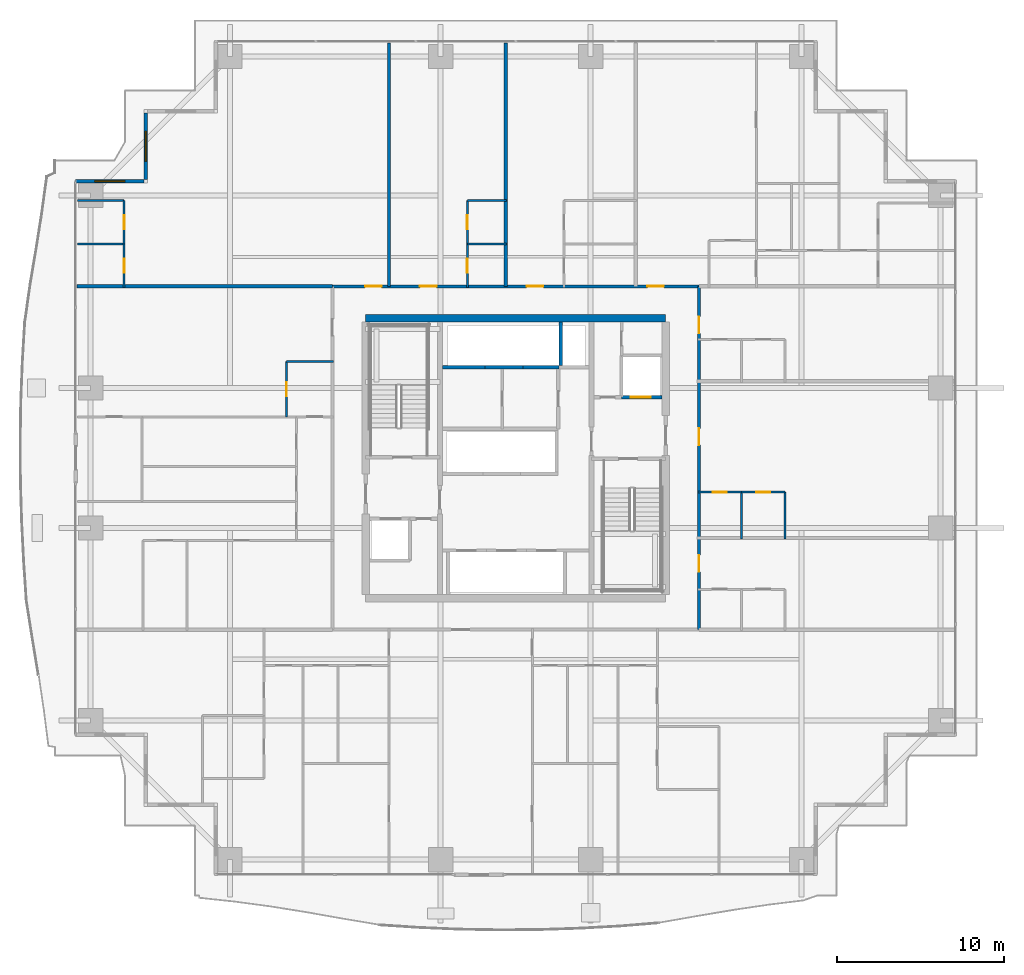
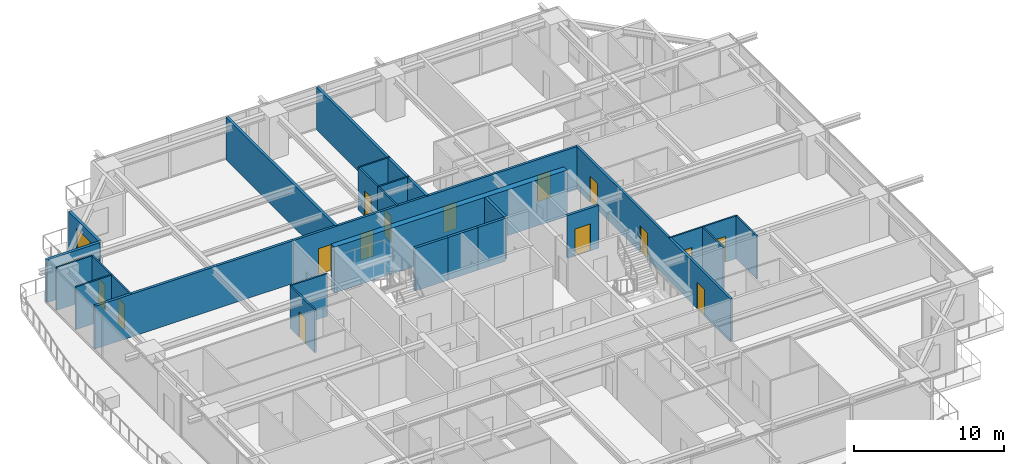
# One storey, part 30 of 40: 27 walls, 15 doors, 2 windows, 17 openings.
"""IFC4 building model written with IfcOpenShell, lengths in metres."""

import ifcopenshell
import ifcopenshell.guid

model = None  # the IFC model being written
_history = None  # IfcOwnerHistory: only IFC2X3 demands one
_inside = {}  # id of a spatial element -> (the spatial element, [elements in it])
_under = {}  # id of a project, library or spatial element -> (it, [spatial elements below it])
_declared = {}  # id of a project -> (the project, [libraries it declares])
_typed = {}  # id of a type object -> (the type object, [elements of that type])
_made_of = {}  # id of a material, layer set ... -> (it, [elements and type objects made of it])


def new_model(schema):
    """Start an empty IFC model of exactly this schema.

    Asked for "IFC4X3", IfcOpenShell would pick the latest addendum, in which some entities
    have other attributes; the version numbers below select the first issue.
    IFC2X3 requires an IfcOwnerHistory on every rooted entity: one is made here for all.
    """
    global model, _history
    if schema == "IFC4X3":
        model = ifcopenshell.file(schema_version=(4, 3, 0, 0))
    else:
        model = ifcopenshell.file(schema=schema)
    _inside.clear()
    _under.clear()
    _declared.clear()
    _typed.clear()
    _made_of.clear()
    _history = None
    if model.schema == "IFC2X3":
        org = make("IfcOrganization", Name="unknown")
        user = make(
            "IfcPersonAndOrganization",
            ThePerson=make("IfcPerson", FamilyName="unknown"),
            TheOrganization=org,
        )
        app = make(
            "IfcApplication",
            ApplicationDeveloper=org,
            Version="unknown",
            ApplicationFullName="unknown",
            ApplicationIdentifier="unknown",
        )
        _history = make(
            "IfcOwnerHistory",
            OwningUser=user,
            OwningApplication=app,
            ChangeAction="ADDED",
            CreationDate=0,
        )
    return model


def make(cls, **values):
    """One entity of the class cls with the attributes given. An attribute that is None is left unset."""
    return model.create_entity(
        cls, **{name: value for name, value in values.items() if value is not None}
    )


def rooted(cls, **values):
    """An entity with a GlobalId (a new one), such as an element, a storey or a relation."""
    return make(cls, GlobalId=ifcopenshell.guid.new(), OwnerHistory=_history, **values)


def si_unit(unit_type, name, prefix=None):
    """IfcSIUnit, for example si_unit("LENGTHUNIT", "METRE", prefix="MILLI")."""
    return make("IfcSIUnit", UnitType=unit_type, Prefix=prefix, Name=name)


def assignment(units):
    """IfcUnitAssignment: the units of a project."""
    return None if units is None else make("IfcUnitAssignment", Units=units)


def point(xyz):
    """IfcCartesianPoint."""
    return None if xyz is None else make("IfcCartesianPoint", Coordinates=xyz)


def direction(xyz):
    """IfcDirection."""
    return None if xyz is None else make("IfcDirection", DirectionRatios=xyz)


def frame(location, z_axis=None, x_axis=None):
    """IfcAxis2Placement3D, a coordinate frame: its origin and axes. An axis left out is left unset."""
    return make(
        "IfcAxis2Placement3D",
        Location=point(location),
        Axis=direction(z_axis),
        RefDirection=direction(x_axis),
    )


def frame_2d(location, x_axis=None):
    """IfcAxis2Placement2D, a coordinate frame in the plane: its origin and x axis."""
    return make(
        "IfcAxis2Placement2D", Location=point(location), RefDirection=direction(x_axis)
    )


def origin():
    """The frame at (0, 0, 0) with its axes left unset."""
    return frame((0.0, 0.0, 0.0))


def place(relative_to, where):
    """IfcLocalPlacement: puts the frame where relative to a parent placement (None: the world)."""
    return make(
        "IfcLocalPlacement", PlacementRelTo=relative_to, RelativePlacement=where
    )


def context(
    kind, dimensions, precision=None, world=None, true_north=None, identifier=None
):
    """IfcGeometricRepresentationContext, for example the 3D "Model" context."""
    return make(
        "IfcGeometricRepresentationContext",
        ContextIdentifier=identifier,
        ContextType=kind,
        CoordinateSpaceDimension=dimensions,
        Precision=precision,
        WorldCoordinateSystem=world,
        TrueNorth=true_north,
    )


def subcontext(parent, identifier, kind, view, scale=None):
    """IfcGeometricRepresentationSubContext, for example "Body" below "Model"."""
    return make(
        "IfcGeometricRepresentationSubContext",
        ContextIdentifier=identifier,
        ContextType=kind,
        ParentContext=parent,
        TargetScale=scale,
        TargetView=view,
    )


def project(units=None, contexts=None):
    """IfcProject with its units and contexts."""
    return rooted(
        "IfcProject",
        Name="project",
        RepresentationContexts=contexts,
        UnitsInContext=assignment(units),
    )


def spatial(cls, under=None, at=None, **own):
    """A site, building, storey or space (cls), placed at a placement, below another one or the project."""
    s = rooted(cls, ObjectPlacement=at, **own)
    if under is not None:
        _under.setdefault(under.id(), (under, []))[1].append(s)
    return s


def profile(cls, at=None, kind="AREA", **sizes):
    """A parametric profile (cls). Its sizes go by their IFC names, for example OverallWidth=200.0."""
    return make(cls, ProfileType=kind, Position=at, **sizes)


def rectangle(**sizes):
    """IfcRectangleProfileDef."""
    return profile("IfcRectangleProfileDef", **sizes)


def extrude(swept, where, along, depth):
    """IfcExtrudedAreaSolid: the profile swept, set in the frame where, extruded along a direction by depth."""
    return make(
        "IfcExtrudedAreaSolid",
        SweptArea=swept,
        Position=where,
        ExtrudedDirection=direction(along),
        Depth=depth,
    )


def shape(context_of_items, identifier, shape_type, items):
    """IfcShapeRepresentation: the items that make up one representation, for example the "Body"."""
    return make(
        "IfcShapeRepresentation",
        ContextOfItems=context_of_items,
        RepresentationIdentifier=identifier,
        RepresentationType=shape_type,
        Items=items,
    )


def source(mapping_origin, context_of_items, identifier, shape_type, items):
    """IfcRepresentationMap: a shape defined once, which mapped items show again and again."""
    return make(
        "IfcRepresentationMap",
        MappingOrigin=mapping_origin,
        MappedRepresentation=shape(context_of_items, identifier, shape_type, items),
    )


def transform(
    local_origin,
    x_axis=None,
    y_axis=None,
    z_axis=None,
    scale=None,
    scale2=None,
    scale3=None,
    uniform=True,
):
    """IfcCartesianTransformationOperator3D, or its non-uniform kind. x_axis, y_axis, z_axis: its Axis1, 2, 3."""
    if uniform:
        return make(
            "IfcCartesianTransformationOperator3D",
            Axis1=direction(x_axis),
            Axis2=direction(y_axis),
            LocalOrigin=point(local_origin),
            Scale=scale,
            Axis3=direction(z_axis),
        )
    return make(
        "IfcCartesianTransformationOperator3DnonUniform",
        Axis1=direction(x_axis),
        Axis2=direction(y_axis),
        LocalOrigin=point(local_origin),
        Scale=scale,
        Axis3=direction(z_axis),
        Scale2=scale2,
        Scale3=scale3,
    )


def mapped(mapping_source, mapping_target):
    """IfcMappedItem: shows the shape of a source again, moved by a transform."""
    return make(
        "IfcMappedItem", MappingSource=mapping_source, MappingTarget=mapping_target
    )


def material(Name=None, Category=None):
    """IfcMaterial."""
    return make("IfcMaterial", Name=Name, Category=Category)


def layer(
    of_material, thickness, ventilated=None, Name=None, Category=None, Priority=None
):
    """IfcMaterialLayer: one layer of a wall or slab, of a material (None: an air gap)."""
    return make(
        "IfcMaterialLayer",
        Material=of_material,
        LayerThickness=thickness,
        IsVentilated=ventilated,
        Name=Name,
        Category=Category,
        Priority=Priority,
    )


def layer_set(layers, Name=None):
    """IfcMaterialLayerSet."""
    return make("IfcMaterialLayerSet", MaterialLayers=layers, LayerSetName=Name)


def made_of(thing, what):
    """Note that an element or type object is made of a material, layer set ...; save() writes the relation."""
    if what is not None:
        _made_of.setdefault(what.id(), (what, []))[1].append(thing)
    return thing


def type_object(cls, material=None, **own):
    """A type object (cls), such as IfcWallType, which elements share."""
    return made_of(rooted(cls, **own), material)


def element(
    cls,
    number,
    at=None,
    inside=None,
    cuts=None,
    type_object=None,
    material=None,
    context=None,
    identifier="Body",
    shape_type=None,
    held_by="IfcProductDefinitionShape",
    body=None,
    shapes=None,
    **own,
):
    """One element of the class cls, such as IfcWall. Its Tag is "e" and its number.

    at: its placement. inside: the storey or other place that contains it. cuts: it is an
    opening in that element (IfcRelVoidsElement). A single representation is given by context,
    identifier, shape_type and body (its items); several are given by shapes. held_by: the class
    of the entity that holds the representations. save() writes the other relations.
    """
    e = rooted(cls, Tag="e%d" % number, ObjectPlacement=at, **own)
    if body is not None:
        shapes = [shape(context, identifier, shape_type, body)]
    if shapes is not None:
        e.Representation = make(held_by, Representations=shapes)
    if inside is not None:
        _inside.setdefault(inside.id(), (inside, []))[1].append(e)
    if cuts is not None:
        rooted(
            "IfcRelVoidsElement", RelatingBuildingElement=cuts, RelatedOpeningElement=e
        )
    if type_object is not None:
        _typed.setdefault(type_object.id(), (type_object, []))[1].append(e)
    return made_of(e, material)


def fill(opening, filler):
    """IfcRelFillsElement: the door or window that sits in an opening."""
    return rooted(
        "IfcRelFillsElement",
        RelatingOpeningElement=opening,
        RelatedBuildingElement=filler,
    )


def aggregate(whole, parts):
    """IfcRelAggregates: a whole, such as a stair, and the parts it consists of."""
    return rooted("IfcRelAggregates", RelatingObject=whole, RelatedObjects=parts)


def save(model, path):
    """Write the relations noted so far, then the file.

    IfcRelAggregates (storeys below a building ...), IfcRelContainedInSpatialStructure (elements
    in a storey), IfcRelDefinesByType, IfcRelAssociatesMaterial and IfcRelDeclares: one each for
    every whole, place, type object, material and project.
    """
    for whole, parts in _under.values():
        aggregate(whole, parts)
    for where, things in _inside.values():
        rooted(
            "IfcRelContainedInSpatialStructure",
            RelatedElements=things,
            RelatingStructure=where,
        )
    for kind, things in _typed.values():
        rooted("IfcRelDefinesByType", RelatedObjects=things, RelatingType=kind)
    for what, things in _made_of.values():
        rooted("IfcRelAssociatesMaterial", RelatedObjects=things, RelatingMaterial=what)
    for by, libraries in _declared.values():
        rooted("IfcRelDeclares", RelatingContext=by, RelatedDefinitions=libraries)
    model.write(path)


model = new_model("IFC4")

# Units and contexts
model_context = context("Model", 3, precision=1e-05, world=origin(), true_north=direction((0.0, 1.0)))
body_context = subcontext(model_context, "Body", "Model", "MODEL_VIEW")
ifc_project = project(units=[si_unit("LENGTHUNIT", "METRE"), si_unit("AREAUNIT", "SQUARE_METRE"), si_unit("VOLUMEUNIT", "CUBIC_METRE"), si_unit("PLANEANGLEUNIT", "RADIAN"), si_unit("MASSUNIT", "GRAM", prefix="KILO")], contexts=[model_context])

# Site, building, storey
site_placement = place(None, origin())
site = spatial("IfcSite", under=ifc_project, at=site_placement, CompositionType="ELEMENT")
building_placement = place(site_placement, origin())
building = spatial("IfcBuilding", under=site, at=building_placement, Name="Serunith Strait Residences", CompositionType="ELEMENT")
storey_placement = place(building_placement, frame((0.0, 0.0, 90.449951171875)))
storey = spatial("IfcBuildingStorey", under=building, at=storey_placement, Name="L22", CompositionType="ELEMENT", Elevation=90.449951171875)

# Wall, opening, window
ifc_material_1 = material(Name="Pale-Champagne Aluminium Insulated Panel", Category="aluminium")
ifc_layer_1 = layer(ifc_material_1, 0.219970703125, Name="Pale-Champagne Aluminium Insulated Panel")
ifc_layer_set_1 = layer_set([ifc_layer_1], Name="Pale-Champagne Aluminium Insulated Panel")
wall_type_1 = type_object("IfcWallType", Name="EW-ALUM-220", PredefinedType="ELEMENTEDWALL", material=ifc_layer_set_1)
wall_1_placement = place(storey_placement, frame((10.199951171875, 45.889892578125, 0.0), z_axis=(0.0, 0.0, 1.0), x_axis=(0.0, -1.0, 0.0)))
wall_1 = element("IfcWall", 1, at=wall_1_placement, inside=storey, type_object=wall_type_1, Name="L22 Girih Serrated Corner Wall 14", PredefinedType="ELEMENTEDWALL", context=body_context, shape_type="SweptSolid", body=[
    extrude(rectangle(XDim=3.97998046875, YDim=0.219970703125, at=frame_2d((1.989990234375, 0.0))), origin(), (0.0, 0.0, 1.0), 3.47509765625),
])
opening_1_placement = place(wall_1_placement, frame((1.090087890625, 0.0, 0.64990234375)))
opening_1 = element("IfcOpeningElement", 2, at=opening_1_placement, cuts=wall_1, Name="Opening W-01", PredefinedType="OPENING", context=body_context, shape_type="SweptSolid", body=[
    extrude(rectangle(XDim=1.800048828125, YDim=2.10009765625, at=frame_2d((0.89990234375, 1.050048828125))), frame((0.0, 0.1201171875, 0.0), z_axis=(0.0, -1.0, 0.0), x_axis=(1.0, 0.0, 0.0)), (0.0, 0.0, 1.0), 0.239990234375),
])
ifc_material_2 = material(Name="Ceramic-Fritted Operable Aluminium Window Glass", Category="aluminium")
window_type = type_object("IfcWindowType", Name="WIN-C1", PartitioningType="DOUBLE_PANEL_VERTICAL", PredefinedType="WINDOW", material=ifc_material_2)
shared_shape_1 = source(origin(), body_context, "Body", "SweptSolid", [
    extrude(rectangle(XDim=1.800048828125, YDim=2.10009765625, at=frame_2d((0.89990234375, 1.050048828125))), frame((0.0, 0.030029296875, 0.0), z_axis=(0.0, -1.0, 0.0), x_axis=(1.0, 0.0, 0.0)), (0.0, 0.0, 1.0), 0.06005859375),
])
window_1_placement = place(opening_1_placement, origin())
window_1 = element("IfcWindow", 3, at=window_1_placement, inside=storey, type_object=window_type, Name="L22 Corner Operable Fritted Window 14", OverallHeight=2.10009765625, OverallWidth=1.800048828125, PartitioningType="SINGLE_PANEL", PredefinedType="WINDOW", context=body_context, shape_type="MappedRepresentation", body=[
    mapped(shared_shape_1, transform((0.0, 0.0, 0.0), scale=1.0)),
])
fill(opening_1, window_1)

wall_2_placement = place(storey_placement, frame((10.090087890625, 41.800048828125, 0.0), z_axis=(0.0, 0.0, 1.0), x_axis=(-1.0, 0.0, 0.0)))
wall_2 = element("IfcWall", 4, at=wall_2_placement, inside=storey, type_object=wall_type_1, Name="L22 Girih Serrated Corner Wall 15", PredefinedType="ELEMENTEDWALL", context=body_context, shape_type="SweptSolid", body=[
    extrude(rectangle(XDim=4.090087890625, YDim=0.219970703125, at=frame_2d((2.044921875, 0.0))), origin(), (0.0, 0.0, 1.0), 3.47509765625),
])
opening_2_placement = place(wall_2_placement, frame((1.14501953125, 0.0, 0.64990234375)))
opening_2 = element("IfcOpeningElement", 5, at=opening_2_placement, cuts=wall_2, Name="Opening W-01", PredefinedType="OPENING", context=body_context, shape_type="SweptSolid", body=[
    extrude(rectangle(XDim=1.800048828125, YDim=2.10009765625, at=frame_2d((0.89990234375, 1.050048828125))), frame((0.0, 0.1201171875, 0.0), z_axis=(0.0, -1.0, 0.0), x_axis=(1.0, 0.0, 0.0)), (0.0, 0.0, 1.0), 0.239990234375),
])
window_2_placement = place(opening_2_placement, origin())
window_2 = element("IfcWindow", 6, at=window_2_placement, inside=storey, type_object=window_type, Name="L22 Corner Operable Fritted Window 15", OverallHeight=2.10009765625, OverallWidth=1.800048828125, PartitioningType="SINGLE_PANEL", PredefinedType="WINDOW", context=body_context, shape_type="MappedRepresentation", body=[
    mapped(shared_shape_1, transform((0.0, 0.0, 0.0), scale=1.0)),
])
fill(opening_2, window_2)

# Wall, openings, doors
ifc_material_3 = material(Name="Fire-rated acoustic gypsum partition")
ifc_layer_2 = layer(ifc_material_3, 0.179931640625, Name="Fire-rated acoustic gypsum partition")
ifc_layer_set_2 = layer_set([ifc_layer_2], Name="Fire-rated acoustic gypsum partition")
wall_type_2 = type_object("IfcWallType", Name="IW-CORR-180", PredefinedType="PARTITIONING", material=ifc_layer_set_2)
wall_3_placement = place(storey_placement, frame((21.402099609375, 35.5, 0.0), z_axis=(0.0, 0.0, 1.0), x_axis=(1.0, 0.0, 0.0)))
wall_3 = element("IfcWall", 7, at=wall_3_placement, inside=storey, type_object=wall_type_2, Name="L22 Partition Wall 025", PredefinedType="PARTITIONING", context=body_context, shape_type="SweptSolid", body=[
    extrude(rectangle(XDim=21.995849609375, YDim=0.179931640625, at=frame_2d((10.998046875, 0.0))), origin(), (0.0, 0.0, 1.0), 3.489990234375),
])
opening_3_placement = place(wall_3_placement, frame((1.9599609375, 0.0, 0.0)))
opening_3 = element("IfcOpeningElement", 8, at=opening_3_placement, cuts=wall_3, Name="Opening D-APT1000", PredefinedType="OPENING", context=body_context, shape_type="SweptSolid", body=[
    extrude(rectangle(XDim=1.0, YDim=2.14990234375, at=frame_2d((0.5, 1.074951171875))), frame((0.0, 0.10009765625, 0.0), z_axis=(0.0, -1.0, 0.0), x_axis=(1.0, 0.0, 0.0)), (0.0, 0.0, 1.0), 0.199951171875),
])
opening_4_placement = place(wall_3_placement, frame((5.2490234375, 0.0, 0.0)))
opening_4 = element("IfcOpeningElement", 9, at=opening_4_placement, cuts=wall_3, Name="Opening D-APT1000", PredefinedType="OPENING", context=body_context, shape_type="SweptSolid", body=[
    extrude(rectangle(XDim=1.0, YDim=2.14990234375, at=frame_2d((0.5, 1.074951171875))), frame((0.0, 0.10009765625, 0.0), z_axis=(0.0, -1.0, 0.0), x_axis=(1.0, 0.0, 0.0)), (0.0, 0.0, 1.0), 0.199951171875),
])
opening_5_placement = place(wall_3_placement, frame((11.653076171875, 0.0, 0.0)))
opening_5 = element("IfcOpeningElement", 10, at=opening_5_placement, cuts=wall_3, Name="Opening D-APT1000", PredefinedType="OPENING", context=body_context, shape_type="SweptSolid", body=[
    extrude(rectangle(XDim=1.0, YDim=2.14990234375, at=frame_2d((0.5, 1.074951171875))), frame((0.0, 0.10009765625, 0.0), z_axis=(0.0, -1.0, 0.0), x_axis=(1.0, 0.0, 0.0)), (0.0, 0.0, 1.0), 0.199951171875),
])
opening_6_placement = place(wall_3_placement, frame((18.89599609375, 0.0, 0.0)))
opening_6 = element("IfcOpeningElement", 11, at=opening_6_placement, cuts=wall_3, Name="Opening D-APT1000", PredefinedType="OPENING", context=body_context, shape_type="SweptSolid", body=[
    extrude(rectangle(XDim=1.0, YDim=2.14990234375, at=frame_2d((0.5, 1.074951171875))), frame((0.0, 0.10009765625, 0.0), z_axis=(0.0, -1.0, 0.0), x_axis=(1.0, 0.0, 0.0)), (0.0, 0.0, 1.0), 0.199951171875),
])
ifc_material_4 = material(Name="Solid timber engineered fire door", Category="wood")
door_type_1 = type_object("IfcDoorType", Name="ID-APT-1000", OperationType="NOTDEFINED", PredefinedType="DOOR", material=ifc_material_4)
shared_shape_2 = source(origin(), body_context, "Body", "SweptSolid", [
    extrude(rectangle(XDim=1.0, YDim=2.14990234375, at=frame_2d((0.5, 1.074951171875))), frame((0.0, 0.02490234375, 0.0), z_axis=(0.0, -1.0, 0.0), x_axis=(1.0, 0.0, 0.0)), (0.0, 0.0, 1.0), 0.050048828125),
])
door_1_placement = place(opening_3_placement, origin())
door_1 = element("IfcDoor", 12, at=door_1_placement, inside=storey, type_object=door_type_1, Name="L22 Unit 02 Entrance Door", OperationType="SINGLE_SWING_RIGHT", OverallHeight=2.14990234375, OverallWidth=1.0, PredefinedType="DOOR", context=body_context, shape_type="MappedRepresentation", body=[
    mapped(shared_shape_2, transform((0.0, 0.0, 0.0), scale=1.0)),
])
fill(opening_3, door_1)
door_2_placement = place(opening_4_placement, origin())
door_2 = element("IfcDoor", 13, at=door_2_placement, inside=storey, type_object=door_type_1, Name="L22 Unit 03 Entrance Door", OperationType="SINGLE_SWING_LEFT", OverallHeight=2.14990234375, OverallWidth=1.0, PredefinedType="DOOR", context=body_context, shape_type="MappedRepresentation", body=[
    mapped(shared_shape_2, transform((0.0, 0.0, 0.0), scale=1.0)),
])
fill(opening_4, door_2)
door_3_placement = place(opening_5_placement, origin())
door_3 = element("IfcDoor", 14, at=door_3_placement, inside=storey, type_object=door_type_1, Name="L22 Unit 04 Entrance Door", OperationType="SINGLE_SWING_RIGHT", OverallHeight=2.14990234375, OverallWidth=1.0, PredefinedType="DOOR", context=body_context, shape_type="MappedRepresentation", body=[
    mapped(shared_shape_2, transform((0.0, 0.0, 0.0), scale=1.0)),
])
fill(opening_5, door_3)
door_4_placement = place(opening_6_placement, origin())
door_4 = element("IfcDoor", 15, at=door_4_placement, inside=storey, type_object=door_type_1, Name="L22 Unit 05 Entrance Door", OperationType="SINGLE_SWING_LEFT", OverallHeight=2.14990234375, OverallWidth=1.0, PredefinedType="DOOR", context=body_context, shape_type="MappedRepresentation", body=[
    mapped(shared_shape_2, transform((0.0, 0.0, 0.0), scale=1.0)),
])
fill(opening_6, door_4)

wall_4_placement = place(storey_placement, frame((43.39990234375, 14.89990234375, 0.0), z_axis=(0.0, 0.0, 1.0), x_axis=(0.0, 1.0, 0.0)))
wall_4 = element("IfcWall", 16, at=wall_4_placement, inside=storey, type_object=wall_type_2, Name="L22 Partition Wall 027", PredefinedType="PARTITIONING", context=body_context, shape_type="SweptSolid", body=[
    extrude(rectangle(XDim=20.60009765625, YDim=0.179931640625, at=frame_2d((10.300048828125, 0.0))), origin(), (0.0, 0.0, 1.0), 3.489990234375),
])
opening_7_placement = place(wall_4_placement, frame((3.468994140625, 0.0, 0.0)))
opening_7 = element("IfcOpeningElement", 17, at=opening_7_placement, cuts=wall_4, Name="Opening D-APT1000", PredefinedType="OPENING", context=body_context, shape_type="SweptSolid", body=[
    extrude(rectangle(XDim=1.0, YDim=2.14990234375, at=frame_2d((0.5, 1.074951171875))), frame((0.0, 0.10009765625, 0.0), z_axis=(0.0, -1.0, 0.0), x_axis=(1.0, 0.0, 0.0)), (0.0, 0.0, 1.0), 0.199951171875),
])
opening_8_placement = place(wall_4_placement, frame((11.073974609375, 0.0, 0.0)))
opening_8 = element("IfcOpeningElement", 18, at=opening_8_placement, cuts=wall_4, Name="Opening D-APT1000", PredefinedType="OPENING", context=body_context, shape_type="SweptSolid", body=[
    extrude(rectangle(XDim=1.0, YDim=2.14990234375, at=frame_2d((0.5, 1.074951171875))), frame((0.0, 0.10009765625, 0.0), z_axis=(0.0, -1.0, 0.0), x_axis=(1.0, 0.0, 0.0)), (0.0, 0.0, 1.0), 0.199951171875),
])
opening_9_placement = place(wall_4_placement, frame((17.780029296875, 0.0, 0.0)))
opening_9 = element("IfcOpeningElement", 19, at=opening_9_placement, cuts=wall_4, Name="Opening D-APT1000", PredefinedType="OPENING", context=body_context, shape_type="SweptSolid", body=[
    extrude(rectangle(XDim=1.0, YDim=2.14990234375, at=frame_2d((0.5, 1.074951171875))), frame((0.0, 0.10009765625, 0.0), z_axis=(0.0, -1.0, 0.0), x_axis=(1.0, 0.0, 0.0)), (0.0, 0.0, 1.0), 0.199951171875),
])
door_5_placement = place(opening_7_placement, origin())
door_5 = element("IfcDoor", 20, at=door_5_placement, inside=storey, type_object=door_type_1, Name="L22 Unit 07 Entrance Door", OperationType="SINGLE_SWING_LEFT", OverallHeight=2.14990234375, OverallWidth=1.0, PredefinedType="DOOR", context=body_context, shape_type="MappedRepresentation", body=[
    mapped(shared_shape_2, transform((0.0, 0.0, 0.0), scale=1.0)),
])
fill(opening_7, door_5)
door_6_placement = place(opening_8_placement, origin())
door_6 = element("IfcDoor", 21, at=door_6_placement, inside=storey, type_object=door_type_1, Name="L22 Unit 08 Entrance Door", OperationType="SINGLE_SWING_RIGHT", OverallHeight=2.14990234375, OverallWidth=1.0, PredefinedType="DOOR", context=body_context, shape_type="MappedRepresentation", body=[
    mapped(shared_shape_2, transform((0.0, 0.0, 0.0), scale=1.0)),
])
fill(opening_8, door_6)
door_7_placement = place(opening_9_placement, origin())
door_7 = element("IfcDoor", 22, at=door_7_placement, inside=storey, type_object=door_type_1, Name="L22 Unit 09 Entrance Door", OperationType="SINGLE_SWING_LEFT", OverallHeight=2.14990234375, OverallWidth=1.0, PredefinedType="DOOR", context=body_context, shape_type="MappedRepresentation", body=[
    mapped(shared_shape_2, transform((0.0, 0.0, 0.0), scale=1.0)),
])
fill(opening_9, door_7)

# Wall, opening, door
ifc_material_5 = material(Name="Lightweight steel-stud gypsum partition", Category="steel")
ifc_layer_3 = layer(ifc_material_5, 0.1201171875, Name="Lightweight steel-stud gypsum partition")
ifc_layer_set_3 = layer_set([ifc_layer_3], Name="Lightweight steel-stud gypsum partition")
wall_type_3 = type_object("IfcWallType", Name="IW-PART-120", PredefinedType="PARTITIONING", material=ifc_layer_set_3)
wall_5_placement = place(storey_placement, frame((8.909912109375, 40.64990234375, 0.0), z_axis=(0.0, 0.0, 1.0), x_axis=(0.0, -1.0, 0.0)))
wall_5 = element("IfcWall", 23, at=wall_5_placement, inside=storey, type_object=wall_type_3, Name="L22 Partition Wall 058", PredefinedType="PARTITIONING", context=body_context, shape_type="SweptSolid", body=[
    extrude(rectangle(XDim=2.599853515625, YDim=0.1201171875, at=frame_2d((1.2998046875, 0.0))), origin(), (0.0, 0.0, 1.0), 3.489990234375),
])
opening_10_placement = place(wall_5_placement, frame((0.875, 0.0, 0.0)))
opening_10 = element("IfcOpeningElement", 24, at=opening_10_placement, cuts=wall_5, Name="Opening D-RM850", PredefinedType="OPENING", context=body_context, shape_type="SweptSolid", body=[
    extrude(rectangle(XDim=0.85009765625, YDim=2.10009765625, at=frame_2d((0.425048828125, 1.050048828125))), frame((0.0, 0.070068359375, 0.0), z_axis=(0.0, -1.0, 0.0), x_axis=(1.0, 0.0, 0.0)), (0.0, 0.0, 1.0), 0.14013671875),
])
ifc_material_6 = material(Name="Engineered timber flush study and kitchen door", Category="wood")
door_type_2 = type_object("IfcDoorType", Name="ID-ROOM-850", OperationType="NOTDEFINED", PredefinedType="DOOR", material=ifc_material_6)
shared_shape_3 = source(origin(), body_context, "Body", "SweptSolid", [
    extrude(rectangle(XDim=0.85009765625, YDim=2.10009765625, at=frame_2d((0.425048828125, 1.050048828125))), frame((0.0, 0.02490234375, 0.0), z_axis=(0.0, -1.0, 0.0), x_axis=(1.0, 0.0, 0.0)), (0.0, 0.0, 1.0), 0.050048828125),
])
door_8_placement = place(opening_10_placement, origin())
door_8 = element("IfcDoor", 25, at=door_8_placement, inside=storey, type_object=door_type_2, Name="L22 Kitchen 2202 Door", OperationType="SINGLE_SWING_RIGHT", OverallHeight=2.10009765625, OverallWidth=0.85009765625, PredefinedType="DOOR", context=body_context, shape_type="MappedRepresentation", body=[
    mapped(shared_shape_3, transform((0.0, 0.0, 0.0), scale=1.0)),
])
fill(opening_10, door_8)

wall_6_placement = place(storey_placement, frame((8.909912109375, 38.048095703125, 0.0), z_axis=(0.0, 0.0, 1.0), x_axis=(0.0, -1.0, 0.0)))
wall_6 = element("IfcWall", 26, at=wall_6_placement, inside=storey, type_object=wall_type_3, Name="L22 Partition Wall 059", PredefinedType="PARTITIONING", context=body_context, shape_type="SweptSolid", body=[
    extrude(rectangle(XDim=2.608154296875, YDim=0.1201171875, at=frame_2d((1.30419921875, 0.0))), origin(), (0.0, 0.0, 1.0), 3.489990234375),
])
opening_11_placement = place(wall_6_placement, frame((0.87890625, 0.0, 0.0)))
opening_11 = element("IfcOpeningElement", 27, at=opening_11_placement, cuts=wall_6, Name="Opening D-BTH850", PredefinedType="OPENING", context=body_context, shape_type="SweptSolid", body=[
    extrude(rectangle(XDim=0.85009765625, YDim=2.10009765625, at=frame_2d((0.425048828125, 1.050048828125))), frame((0.0, 0.070068359375, 0.0), z_axis=(0.0, -1.0, 0.0), x_axis=(1.0, 0.0, 0.0)), (0.0, 0.0, 1.0), 0.14013671875),
])
ifc_material_7 = material(Name="Moisture-resistant timber bathroom door", Category="wood")
door_type_3 = type_object("IfcDoorType", Name="ID-BATH-850", OperationType="NOTDEFINED", PredefinedType="DOOR", material=ifc_material_7)
door_9_placement = place(opening_11_placement, origin())
door_9 = element("IfcDoor", 28, at=door_9_placement, inside=storey, type_object=door_type_3, Name="L22 Bathroom 2202 Door", OperationType="SINGLE_SWING_LEFT", OverallHeight=2.10009765625, OverallWidth=0.85009765625, PredefinedType="DOOR", context=body_context, shape_type="MappedRepresentation", body=[
    mapped(shared_shape_3, transform((0.0, 0.0, 0.0), scale=1.0)),
])
fill(opening_11, door_9)

# Walls
for number, where, z_axis, x_axis, name in (
    (29, (6.094970703125, 38.050048828125, 0.0), (0.0, 0.0, 1.0), (1.0, 0.0, 0.0), "L22 Partition Wall 060"),
    (30, (6.094970703125, 40.64990234375, 0.0), (0.0, 0.0, 1.0), (1.0, 0.0, 0.0), "L22 Partition Wall 061"),
):
    element("IfcWall", number, at=place(storey_placement, frame(where, z_axis=z_axis, x_axis=x_axis)), inside=storey, type_object=wall_type_3, Name=name, PredefinedType="PARTITIONING", context=body_context, shape_type="SweptSolid", body=[
        extrude(rectangle(XDim=2.81494140625, YDim=0.1201171875, at=frame_2d((1.407470703125, 0.0))), origin(), (0.0, 0.0, 1.0), 3.489990234375),
    ])

# Wall, opening, door
wall_7_placement = place(storey_placement, frame((29.5, 40.64990234375, 0.0), z_axis=(0.0, 0.0, 1.0), x_axis=(0.0, -1.0, 0.0)))
wall_7 = element("IfcWall", 31, at=wall_7_placement, inside=storey, type_object=wall_type_3, Name="L22 Partition Wall 062", PredefinedType="PARTITIONING", context=body_context, shape_type="SweptSolid", body=[
    extrude(rectangle(XDim=2.599853515625, YDim=0.1201171875, at=frame_2d((1.2998046875, 0.0))), origin(), (0.0, 0.0, 1.0), 3.489990234375),
])
opening_12_placement = place(wall_7_placement, frame((0.875, 0.0, 0.0)))
opening_12 = element("IfcOpeningElement", 32, at=opening_12_placement, cuts=wall_7, Name="Opening D-RM850", PredefinedType="OPENING", context=body_context, shape_type="SweptSolid", body=[
    extrude(rectangle(XDim=0.85009765625, YDim=2.10009765625, at=frame_2d((0.425048828125, 1.050048828125))), frame((0.0, 0.070068359375, 0.0), z_axis=(0.0, -1.0, 0.0), x_axis=(1.0, 0.0, 0.0)), (0.0, 0.0, 1.0), 0.14013671875),
])
door_10_placement = place(opening_12_placement, origin())
door_10 = element("IfcDoor", 33, at=door_10_placement, inside=storey, type_object=door_type_2, Name="L22 Kitchen 2203 Door", OperationType="SINGLE_SWING_RIGHT", OverallHeight=2.10009765625, OverallWidth=0.85009765625, PredefinedType="DOOR", context=body_context, shape_type="MappedRepresentation", body=[
    mapped(shared_shape_3, transform((0.0, 0.0, 0.0), scale=1.0)),
])
fill(opening_12, door_10)

wall_8_placement = place(storey_placement, frame((29.5, 38.048095703125, 0.0), z_axis=(0.0, 0.0, 1.0), x_axis=(0.0, -1.0, 0.0)))
wall_8 = element("IfcWall", 34, at=wall_8_placement, inside=storey, type_object=wall_type_3, Name="L22 Partition Wall 063", PredefinedType="PARTITIONING", context=body_context, shape_type="SweptSolid", body=[
    extrude(rectangle(XDim=2.608154296875, YDim=0.1201171875, at=frame_2d((1.30419921875, 0.0))), origin(), (0.0, 0.0, 1.0), 3.489990234375),
])
opening_13_placement = place(wall_8_placement, frame((0.87890625, 0.0, 0.0)))
opening_13 = element("IfcOpeningElement", 35, at=opening_13_placement, cuts=wall_8, Name="Opening D-BTH850", PredefinedType="OPENING", context=body_context, shape_type="SweptSolid", body=[
    extrude(rectangle(XDim=0.85009765625, YDim=2.10009765625, at=frame_2d((0.425048828125, 1.050048828125))), frame((0.0, 0.070068359375, 0.0), z_axis=(0.0, -1.0, 0.0), x_axis=(1.0, 0.0, 0.0)), (0.0, 0.0, 1.0), 0.14013671875),
])
door_11_placement = place(opening_13_placement, origin())
door_11 = element("IfcDoor", 36, at=door_11_placement, inside=storey, type_object=door_type_3, Name="L22 Bathroom 2203 Door", OperationType="SINGLE_SWING_LEFT", OverallHeight=2.10009765625, OverallWidth=0.85009765625, PredefinedType="DOOR", context=body_context, shape_type="MappedRepresentation", body=[
    mapped(shared_shape_3, transform((0.0, 0.0, 0.0), scale=1.0)),
])
fill(opening_13, door_11)

# Walls
for number, where, z_axis, x_axis, name in (
    (37, (29.5, 38.050048828125, 0.0), (0.0, 0.0, 1.0), (1.0, 0.0, 0.0), "L22 Partition Wall 064"),
    (38, (29.5, 40.64990234375, 0.0), (0.0, 0.0, 1.0), (1.0, 0.0, 0.0), "L22 Partition Wall 065"),
):
    element("IfcWall", number, at=place(storey_placement, frame(where, z_axis=z_axis, x_axis=x_axis)), inside=storey, type_object=wall_type_3, Name=name, PredefinedType="PARTITIONING", context=body_context, shape_type="SweptSolid", body=[
        extrude(rectangle(XDim=2.360107421875, YDim=0.1201171875, at=frame_2d((1.18017578125, 0.0))), origin(), (0.0, 0.0, 1.0), 3.489990234375),
    ])

# Wall, opening, door
wall_9_placement = place(storey_placement, frame((18.64990234375, 27.669921875, 0.0), z_axis=(0.0, 0.0, 1.0), x_axis=(0.0, 1.0, 0.0)))
wall_9 = element("IfcWall", 39, at=wall_9_placement, inside=storey, type_object=wall_type_3, Name="L22 Partition Wall 085", PredefinedType="PARTITIONING", context=body_context, shape_type="SweptSolid", body=[
    extrude(rectangle(XDim=3.330078125, YDim=0.1201171875, at=frame_2d((1.6650390625, 0.0))), origin(), (0.0, 0.0, 1.0), 3.489990234375),
])
opening_14_placement = place(wall_9_placement, frame((1.239990234375, 0.0, 0.0)))
opening_14 = element("IfcOpeningElement", 40, at=opening_14_placement, cuts=wall_9, Name="Opening D-RM850", PredefinedType="OPENING", context=body_context, shape_type="SweptSolid", body=[
    extrude(rectangle(XDim=0.85009765625, YDim=2.10009765625, at=frame_2d((0.425048828125, 1.050048828125))), frame((0.0, 0.070068359375, 0.0), z_axis=(0.0, -1.0, 0.0), x_axis=(1.0, 0.0, 0.0)), (0.0, 0.0, 1.0), 0.14013671875),
])
door_12_placement = place(opening_14_placement, origin())
door_12 = element("IfcDoor", 41, at=door_12_placement, inside=storey, type_object=door_type_2, Name="L22 Kitchen 2206 Door", OperationType="SINGLE_SWING_RIGHT", OverallHeight=2.10009765625, OverallWidth=0.85009765625, PredefinedType="DOOR", context=body_context, shape_type="MappedRepresentation", body=[
    mapped(shared_shape_3, transform((0.0, 0.0, 0.0), scale=1.0)),
])
fill(opening_14, door_12)

# Wall
wall_10_placement = place(storey_placement, frame((18.64990234375, 31.0, 0.0), z_axis=(0.0, 0.0, 1.0), x_axis=(1.0, 0.0, 0.0)))
element("IfcWall", 42, at=wall_10_placement, inside=storey, type_object=wall_type_3, Name="L22 Partition Wall 086", PredefinedType="PARTITIONING", context=body_context, shape_type="SweptSolid", body=[
    extrude(rectangle(XDim=2.81005859375, YDim=0.1201171875, at=frame_2d((1.405029296875, 0.0))), origin(), (0.0, 0.0, 1.0), 3.489990234375),
])

# Wall, opening, door
wall_11_placement = place(storey_placement, frame((48.550048828125, 23.14990234375, 0.0), z_axis=(0.0, 0.0, 1.0), x_axis=(-1.0, 0.0, 0.0)))
wall_11 = element("IfcWall", 43, at=wall_11_placement, inside=storey, type_object=wall_type_3, Name="L22 Partition Wall 105", PredefinedType="PARTITIONING", context=body_context, shape_type="SweptSolid", body=[
    extrude(rectangle(XDim=2.60009765625, YDim=0.1201171875, at=frame_2d((1.300048828125, 0.0))), origin(), (0.0, 0.0, 1.0), 3.489990234375),
])
opening_15_placement = place(wall_11_placement, frame((0.875, 0.0, 0.0)))
opening_15 = element("IfcOpeningElement", 44, at=opening_15_placement, cuts=wall_11, Name="Opening D-RM850", PredefinedType="OPENING", context=body_context, shape_type="SweptSolid", body=[
    extrude(rectangle(XDim=0.85009765625, YDim=2.10009765625, at=frame_2d((0.425048828125, 1.050048828125))), frame((0.0, 0.070068359375, 0.0), z_axis=(0.0, -1.0, 0.0), x_axis=(1.0, 0.0, 0.0)), (0.0, 0.0, 1.0), 0.14013671875),
])
door_13_placement = place(opening_15_placement, origin())
door_13 = element("IfcDoor", 45, at=door_13_placement, inside=storey, type_object=door_type_2, Name="L22 Kitchen 2208 Door", OperationType="SINGLE_SWING_RIGHT", OverallHeight=2.10009765625, OverallWidth=0.85009765625, PredefinedType="DOOR", context=body_context, shape_type="MappedRepresentation", body=[
    mapped(shared_shape_3, transform((0.0, 0.0, 0.0), scale=1.0)),
])
fill(opening_15, door_13)

wall_12_placement = place(storey_placement, frame((45.947998046875, 23.14990234375, 0.0), z_axis=(0.0, 0.0, 1.0), x_axis=(-1.0, 0.0, 0.0)))
wall_12 = element("IfcWall", 46, at=wall_12_placement, inside=storey, type_object=wall_type_3, Name="L22 Partition Wall 106", PredefinedType="PARTITIONING", context=body_context, shape_type="SweptSolid", body=[
    extrude(rectangle(XDim=2.60791015625, YDim=0.1201171875, at=frame_2d((1.303955078125, 0.0))), origin(), (0.0, 0.0, 1.0), 3.489990234375),
])
opening_16_placement = place(wall_12_placement, frame((0.87890625, 0.0, 0.0)))
opening_16 = element("IfcOpeningElement", 47, at=opening_16_placement, cuts=wall_12, Name="Opening D-BTH850", PredefinedType="OPENING", context=body_context, shape_type="SweptSolid", body=[
    extrude(rectangle(XDim=0.85009765625, YDim=2.10009765625, at=frame_2d((0.425048828125, 1.050048828125))), frame((0.0, 0.070068359375, 0.0), z_axis=(0.0, -1.0, 0.0), x_axis=(1.0, 0.0, 0.0)), (0.0, 0.0, 1.0), 0.14013671875),
])
door_14_placement = place(opening_16_placement, origin())
door_14 = element("IfcDoor", 48, at=door_14_placement, inside=storey, type_object=door_type_3, Name="L22 Bathroom 2208 Door", OperationType="SINGLE_SWING_LEFT", OverallHeight=2.10009765625, OverallWidth=0.85009765625, PredefinedType="DOOR", context=body_context, shape_type="MappedRepresentation", body=[
    mapped(shared_shape_3, transform((0.0, 0.0, 0.0), scale=1.0)),
])
fill(opening_16, door_14)

# Walls
for number, where, z_axis, x_axis, name in (
    (49, (45.949951171875, 20.340087890625, 0.0), (0.0, 0.0, 1.0), (0.0, 1.0, 0.0), "L22 Partition Wall 107"),
    (50, (48.550048828125, 20.340087890625, 0.0), (0.0, 0.0, 1.0), (0.0, 1.0, 0.0), "L22 Partition Wall 108"),
):
    element("IfcWall", number, at=place(storey_placement, frame(where, z_axis=z_axis, x_axis=x_axis)), inside=storey, type_object=wall_type_3, Name=name, PredefinedType="PARTITIONING", context=body_context, shape_type="SweptSolid", body=[
        extrude(rectangle(XDim=2.809814453125, YDim=0.1201171875, at=frame_2d((1.40478515625, 0.0))), origin(), (0.0, 0.0, 1.0), 3.489990234375),
    ])
ifc_material_8 = material(Name="Twin-stud acoustic gypsum board partition")
ifc_layer_4 = layer(ifc_material_8, 0.199951171875, Name="Twin-stud acoustic gypsum board partition")
ifc_layer_set_4 = layer_set([ifc_layer_4], Name="Twin-stud acoustic gypsum board partition")
wall_type_4 = type_object("IfcWallType", Name="IW-PARTY-200", PredefinedType="PARTITIONING", material=ifc_layer_set_4)
for number, where, z_axis, x_axis, name in (
    (51, (24.800048828125, 35.5, 0.0), (0.0, 0.0, 1.0), (0.0, 1.0, 0.0), "L22 Partition Wall 015"),
    (52, (31.800048828125, 35.5, 0.0), (0.0, 0.0, 1.0), (0.0, 1.0, 0.0), "L22 Partition Wall 016"),
):
    element("IfcWall", number, at=place(storey_placement, frame(where, z_axis=z_axis, x_axis=x_axis)), inside=storey, type_object=wall_type_4, Name=name, PredefinedType="PARTITIONING", context=body_context, shape_type="SweptSolid", body=[
        extrude(rectangle(XDim=14.617919921875, YDim=0.199951171875, at=frame_2d((7.30908203125, 0.0))), origin(), (0.0, 0.0, 1.0), 3.489990234375),
    ])
wall_13_placement = place(storey_placement, frame((6.08203125, 35.5, 0.0), z_axis=(0.0, 0.0, 1.0), x_axis=(1.0, 0.0, 0.0)))
element("IfcWall", 53, at=wall_13_placement, inside=storey, type_object=wall_type_4, Name="L22 Partition Wall 022", PredefinedType="PARTITIONING", context=body_context, shape_type="SweptSolid", body=[
    extrude(rectangle(XDim=15.31787109375, YDim=0.199951171875, at=frame_2d((7.658935546875, 0.0))), origin(), (0.0, 0.0, 1.0), 3.489990234375),
])

# Wall, opening, door
ifc_material_9 = material(Name="Autoclaved aerated concrete blockwork", Category="masonry")
ifc_layer_5 = layer(ifc_material_9, 0.199951171875, Name="Autoclaved aerated concrete blockwork")
ifc_layer_set_5 = layer_set([ifc_layer_5], Name="Autoclaved aerated concrete blockwork")
wall_type_5 = type_object("IfcWallType", Name="IW-SHAFT-200", PredefinedType="STANDARD", material=ifc_layer_set_5)
wall_14_placement = place(storey_placement, frame((38.75, 28.85009765625, 0.0), z_axis=(0.0, 0.0, 1.0), x_axis=(1.0, 0.0, 0.0)))
wall_14 = element("IfcWall", 54, at=wall_14_placement, inside=storey, type_object=wall_type_5, Name="L22 FL-2 South Shaft Wall", PredefinedType="STANDARD", context=body_context, shape_type="SweptSolid", body=[
    extrude(rectangle(XDim=2.425048828125, YDim=0.199951171875, at=frame_2d((1.21240234375, 0.0))), origin(), (0.0, 0.0, 1.0), 3.489990234375),
])
opening_17_placement = place(wall_14_placement, frame((0.550048828125, 0.0, 0.0)))
opening_17 = element("IfcOpeningElement", 55, at=opening_17_placement, cuts=wall_14, Name="Opening LD-FF1200", PredefinedType="OPENING", context=body_context, shape_type="SweptSolid", body=[
    extrude(rectangle(XDim=1.199951171875, YDim=2.199951171875, at=frame_2d((0.60009765625, 1.10009765625))), frame((0.0, 0.10986328125, 0.0), z_axis=(0.0, -1.0, 0.0), x_axis=(1.0, 0.0, 0.0)), (0.0, 0.0, 1.0), 0.219970703125),
])
ifc_material_10 = material(Name="Brushed stainless steel landing door", Category="steel")
door_type_4 = type_object("IfcDoorType", Name="LD-FF-1200", OperationType="DOUBLE_DOOR_SLIDING", PredefinedType="DOOR", material=ifc_material_10)
shared_shape_4 = source(origin(), body_context, "Body", "SweptSolid", [
    extrude(rectangle(XDim=1.199951171875, YDim=2.199951171875, at=frame_2d((0.60009765625, 1.10009765625))), frame((0.0, 0.02490234375, 0.0), z_axis=(0.0, -1.0, 0.0), x_axis=(1.0, 0.0, 0.0)), (0.0, 0.0, 1.0), 0.050048828125),
])
door_15_placement = place(opening_17_placement, origin())
door_15 = element("IfcDoor", 56, at=door_15_placement, inside=storey, type_object=door_type_4, Name="L22 FL-2 Landing Door", OperationType="DOUBLE_DOOR_SLIDING", OverallHeight=2.199951171875, OverallWidth=1.199951171875, PredefinedType="DOOR", context=body_context, shape_type="MappedRepresentation", body=[
    mapped(shared_shape_4, transform((0.0, 0.0, 0.0), scale=1.0)),
])
fill(opening_17, door_15)

# Walls
wall_15_placement = place(storey_placement, frame((28.0, 30.64990234375, 0.0), z_axis=(0.0, 0.0, 1.0), x_axis=(1.0, 0.0, 0.0)))
element("IfcWall", 57, at=wall_15_placement, inside=storey, type_object=wall_type_5, Name="L22 PL-7 South Shaft Wall", PredefinedType="STANDARD", context=body_context, shape_type="SweptSolid", body=[
    extrude(rectangle(XDim=2.550048828125, YDim=0.199951171875, at=frame_2d((1.27490234375, 0.0))), origin(), (0.0, 0.0, 1.0), 3.489990234375),
])
wall_16_placement = place(storey_placement, frame((30.550048828125, 30.64990234375, 0.0), z_axis=(0.0, 0.0, 1.0), x_axis=(1.0, 0.0, 0.0)))
element("IfcWall", 58, at=wall_16_placement, inside=storey, type_object=wall_type_5, Name="L22 PL-8 South Shaft Wall", PredefinedType="STANDARD", context=body_context, shape_type="SweptSolid", body=[
    extrude(rectangle(XDim=2.300048828125, YDim=0.199951171875, at=frame_2d((1.14990234375, 0.0))), origin(), (0.0, 0.0, 1.0), 3.489990234375),
])
wall_17_placement = place(storey_placement, frame((32.85009765625, 30.64990234375, 0.0), z_axis=(0.0, 0.0, 1.0), x_axis=(1.0, 0.0, 0.0)))
element("IfcWall", 59, at=wall_17_placement, inside=storey, type_object=wall_type_5, Name="L22 PL-9 South Shaft Wall", PredefinedType="STANDARD", context=body_context, shape_type="SweptSolid", body=[
    extrude(rectangle(XDim=2.14990234375, YDim=0.199951171875, at=frame_2d((1.074951171875, 0.0))), origin(), (0.0, 0.0, 1.0), 3.489990234375),
])
wall_18_placement = place(storey_placement, frame((35.10009765625, 30.75, 0.0), z_axis=(0.0, 0.0, 1.0), x_axis=(0.0, 1.0, 0.0)))
element("IfcWall", 60, at=wall_18_placement, inside=storey, type_object=wall_type_5, Name="L22 SL-1 West Shaft Wall", PredefinedType="STANDARD", context=body_context, shape_type="SweptSolid", body=[
    extrude(rectangle(XDim=2.625, YDim=0.199951171875, at=frame_2d((1.3125, 0.0))), origin(), (0.0, 0.0, 1.0), 3.489990234375),
])
ifc_material_11 = material(Name="Concrete C80/95", Category="concrete")
ifc_layer_6 = layer(ifc_material_11, 0.449951171875, Name="Concrete C80/95")
ifc_layer_set_6 = layer_set([ifc_layer_6], Name="Concrete C80/95")
wall_type_6 = type_object("IfcWallType", Name="SW-450-C80", PredefinedType="SHEAR", material=ifc_layer_set_6)
wall_19_placement = place(storey_placement, frame((41.39990234375, 33.60009765625, -0.260009765625), z_axis=(0.0, 0.0, 1.0), x_axis=(-1.0, 0.0, 0.0)))
element("IfcWall", 61, at=wall_19_placement, inside=storey, type_object=wall_type_6, Name="L22 Core North Shear Wall", PredefinedType="SHEAR", context=body_context, shape_type="SweptSolid", body=[
    extrude(rectangle(XDim=18.0, YDim=0.449951171875, at=frame_2d((9.0, 0.0))), origin(), (0.0, 0.0, 1.0), 3.748046875),
])

save(model, "model.ifc")
